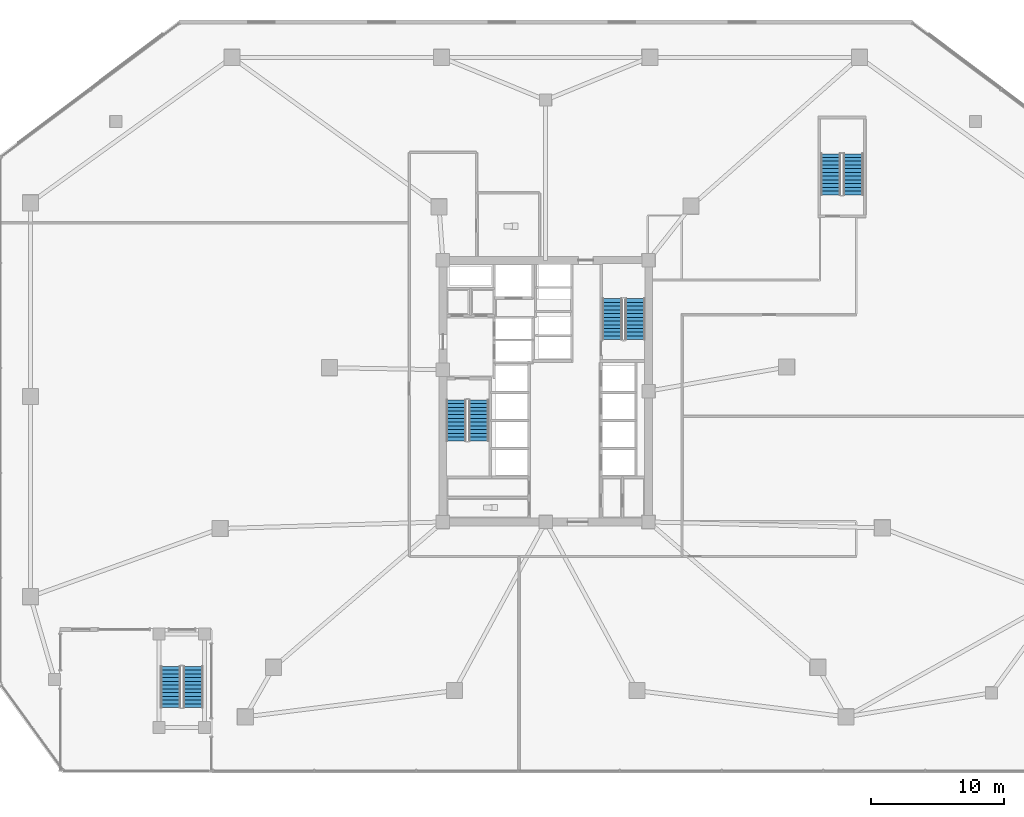
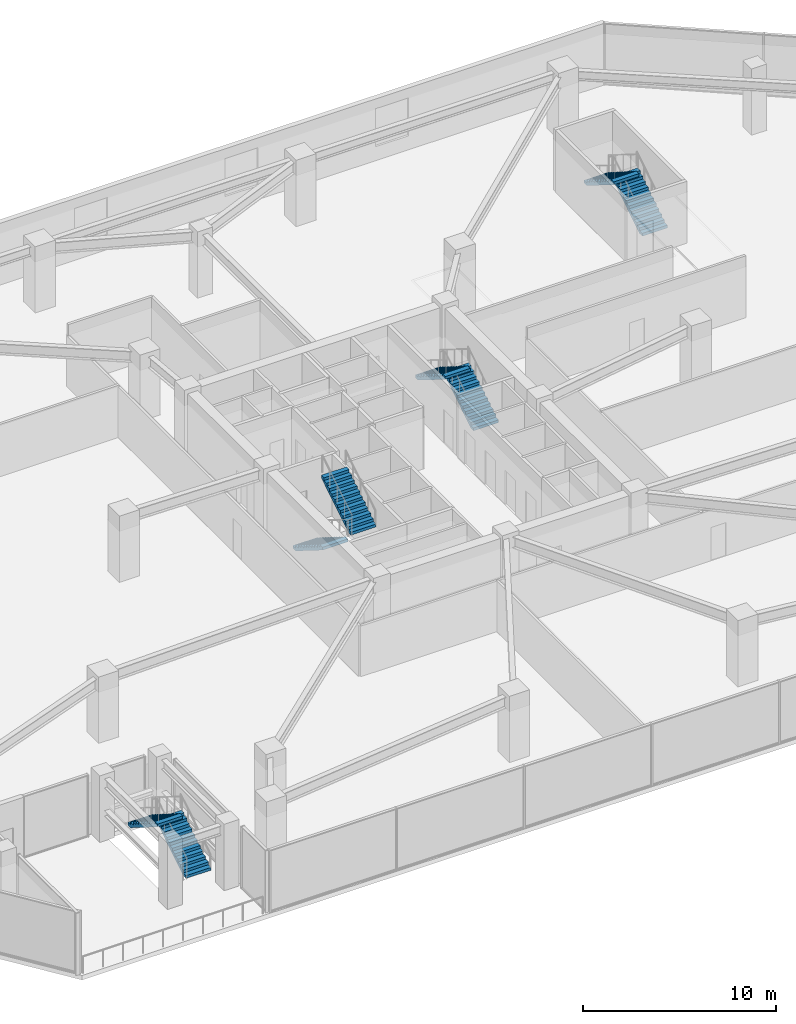
# One storey, part 13 of 21: 8 stair flights, 4 elements without a shape of their own.
"""IFC4 building model written with IfcOpenShell, lengths in metres."""

from ifc_helpers import new_model, si_unit, direction, frame, origin, place, context, subcontext, project, spatial, polyline, outline, extrude, material, type_object, element, aggregate, save


model = new_model("IFC4")

# Units and contexts
model_context = context("Model", 3, precision=1e-05, world=origin(), true_north=direction((0.0, 1.0)))
body_context = subcontext(model_context, "Body", "Model", "MODEL_VIEW")
ifc_project = project(units=[si_unit("LENGTHUNIT", "METRE"), si_unit("AREAUNIT", "SQUARE_METRE"), si_unit("VOLUMEUNIT", "CUBIC_METRE"), si_unit("PLANEANGLEUNIT", "RADIAN"), si_unit("MASSUNIT", "GRAM", prefix="KILO")], contexts=[model_context])

# Site, building, storey
site_placement = place(None, origin())
site = spatial("IfcSite", under=ifc_project, at=site_placement, CompositionType="ELEMENT")
building_placement = place(site_placement, origin())
building = spatial("IfcBuilding", under=site, at=building_placement, Name="Savorim Split Tower", CompositionType="ELEMENT")
storey_placement = place(building_placement, frame((0.0, 0.0, 9.199951171875)))
storey = spatial("IfcBuildingStorey", under=building, at=storey_placement, Name="L02", CompositionType="ELEMENT", Elevation=9.199951171875)

# Stair, stair flights
ifc_material = material(Name="Concrete C50/60", Category="concrete")
stair_type = type_object("IfcStairType", Name="STR-DOG-4200", PredefinedType="HALF_TURN_STAIR", material=ifc_material)
stair_1_placement = place(storey_placement, origin())
stair_1 = element("IfcStair", 1, at=stair_1_placement, inside=storey, type_object=stair_type, Name="L02 Core Protected Exit Stair ST-1", PredefinedType="HALF_TURN_STAIR")
stair_flight_type = type_object("IfcStairFlightType", Name="SFL-DOG-4200", PredefinedType="STRAIGHT", material=ifc_material)
stair_flight_1_placement = place(storey_placement, frame((-6.699951171875, -0.25, 0.0), z_axis=(0.0, 0.0, 1.0), x_axis=(0.0, -1.0, 0.0)))
stair_flight_1 = element("IfcStairFlight", 2, at=stair_flight_1_placement, type_object=stair_flight_type, Name="ST-1 flight 1", NumberOfRisers=12, NumberOfTreads=11, PredefinedType="STRAIGHT", RiserHeight=0.175, TreadLength=0.28, context=body_context, shape_type="SweptSolid", body=[
    extrude(outline(polyline([(0.0, 0.0), (0.0, 0.175048828125), (0.280029296875, 0.175048828125), (0.280029296875, 0.35009765625), (0.56005859375, 0.35009765625), (0.56005859375, 0.52490234375), (0.840087890625, 0.52490234375), (0.840087890625, 0.699951171875), (1.1201171875, 0.699951171875), (1.1201171875, 0.875), (1.39990234375, 0.875), (1.39990234375, 1.050048828125), (1.679931640625, 1.050048828125), (1.679931640625, 1.22509765625), (1.9599609375, 1.22509765625), (1.9599609375, 1.39990234375), (2.239990234375, 1.39990234375), (2.239990234375, 1.574951171875), (2.52001953125, 1.574951171875), (2.52001953125, 1.75), (2.800048828125, 1.75), (2.800048828125, 1.925048828125), (3.080078125, 1.925048828125), (3.080078125, 2.10009765625), (3.080078125, 1.748291015625), (0.28271484375, 0.0), (0.0, 0.0)])), frame((0.0, 0.75, 0.0), z_axis=(0.0, -1.0, 0.0), x_axis=(1.0, 0.0, 0.0)), (0.0, 0.0, 1.0), 1.5),
])
stair_flight_2_placement = place(storey_placement, frame((-5.0, -3.330078125, 2.10009765625), z_axis=(0.0, 0.0, 1.0), x_axis=(0.0, 1.0, 0.0)))
stair_flight_2 = element("IfcStairFlight", 3, at=stair_flight_2_placement, type_object=stair_flight_type, Name="ST-1 flight 2", NumberOfRisers=12, NumberOfTreads=11, PredefinedType="STRAIGHT", RiserHeight=0.175, TreadLength=0.28, context=body_context, shape_type="SweptSolid", body=[
    extrude(outline(polyline([(0.0, 0.0), (0.0, 0.175048828125), (0.280029296875, 0.175048828125), (0.280029296875, 0.35009765625), (0.56005859375, 0.35009765625), (0.56005859375, 0.52490234375), (0.840087890625, 0.52490234375), (0.840087890625, 0.699951171875), (1.1201171875, 0.699951171875), (1.1201171875, 0.875), (1.39990234375, 0.875), (1.39990234375, 1.050048828125), (1.679931640625, 1.050048828125), (1.679931640625, 1.22509765625), (1.9599609375, 1.22509765625), (1.9599609375, 1.39990234375), (2.239990234375, 1.39990234375), (2.239990234375, 1.574951171875), (2.52001953125, 1.574951171875), (2.52001953125, 1.75), (2.800048828125, 1.75), (2.800048828125, 1.925048828125), (3.080078125, 1.925048828125), (3.080078125, 2.10009765625), (3.080078125, 1.748291015625), (0.28271484375, 0.0), (0.0, 0.0)])), frame((0.0, 0.75, 0.0), z_axis=(0.0, -1.0, 0.0), x_axis=(1.0, 0.0, 0.0)), (0.0, 0.0, 1.0), 1.5),
])
aggregate(stair_1, [stair_flight_1, stair_flight_2])

stair_2_placement = place(storey_placement, origin())
stair_2 = element("IfcStair", 4, at=stair_2_placement, inside=storey, type_object=stair_type, Name="L02 Core Protected Exit Stair ST-2", PredefinedType="HALF_TURN_STAIR")
stair_flight_3_placement = place(storey_placement, frame((6.699951171875, 4.25, 0.0), z_axis=(0.0, 0.0, 1.0), x_axis=(0.0, 1.0, 0.0)))
stair_flight_3 = element("IfcStairFlight", 5, at=stair_flight_3_placement, type_object=stair_flight_type, Name="ST-2 flight 1", NumberOfRisers=12, NumberOfTreads=11, PredefinedType="STRAIGHT", RiserHeight=0.175, TreadLength=0.28, context=body_context, shape_type="SweptSolid", body=[
    extrude(outline(polyline([(0.0, 0.0), (0.0, 0.175048828125), (0.280029296875, 0.175048828125), (0.280029296875, 0.35009765625), (0.56005859375, 0.35009765625), (0.56005859375, 0.52490234375), (0.840087890625, 0.52490234375), (0.840087890625, 0.699951171875), (1.1201171875, 0.699951171875), (1.1201171875, 0.875), (1.39990234375, 0.875), (1.39990234375, 1.050048828125), (1.679931640625, 1.050048828125), (1.679931640625, 1.22509765625), (1.9599609375, 1.22509765625), (1.9599609375, 1.39990234375), (2.239990234375, 1.39990234375), (2.239990234375, 1.574951171875), (2.52001953125, 1.574951171875), (2.52001953125, 1.75), (2.800048828125, 1.75), (2.800048828125, 1.925048828125), (3.080078125, 1.925048828125), (3.080078125, 2.10009765625), (3.080078125, 1.748291015625), (0.28271484375, 0.0), (0.0, 0.0)])), frame((0.0, 0.75, 0.0), z_axis=(0.0, -1.0, 0.0), x_axis=(1.0, 0.0, 0.0)), (0.0, 0.0, 1.0), 1.5),
])
stair_flight_4_placement = place(storey_placement, frame((5.0, 7.330078125, 2.10009765625), z_axis=(0.0, 0.0, 1.0), x_axis=(0.0, -1.0, 0.0)))
stair_flight_4 = element("IfcStairFlight", 6, at=stair_flight_4_placement, type_object=stair_flight_type, Name="ST-2 flight 2", NumberOfRisers=12, NumberOfTreads=11, PredefinedType="STRAIGHT", RiserHeight=0.175, TreadLength=0.28, context=body_context, shape_type="SweptSolid", body=[
    extrude(outline(polyline([(0.0, 0.0), (0.0, 0.175048828125), (0.280029296875, 0.175048828125), (0.280029296875, 0.35009765625), (0.56005859375, 0.35009765625), (0.56005859375, 0.52490234375), (0.840087890625, 0.52490234375), (0.840087890625, 0.699951171875), (1.1201171875, 0.699951171875), (1.1201171875, 0.875), (1.39990234375, 0.875), (1.39990234375, 1.050048828125), (1.679931640625, 1.050048828125), (1.679931640625, 1.22509765625), (1.9599609375, 1.22509765625), (1.9599609375, 1.39990234375), (2.239990234375, 1.39990234375), (2.239990234375, 1.574951171875), (2.52001953125, 1.574951171875), (2.52001953125, 1.75), (2.800048828125, 1.75), (2.800048828125, 1.925048828125), (3.080078125, 1.925048828125), (3.080078125, 2.10009765625), (3.080078125, 1.748291015625), (0.28271484375, 0.0), (0.0, 0.0)])), frame((0.0, 0.75, 0.0), z_axis=(0.0, -1.0, 0.0), x_axis=(1.0, 0.0, 0.0)), (0.0, 0.0, 1.0), 1.5),
])
aggregate(stair_2, [stair_flight_3, stair_flight_4])

stair_3_placement = place(storey_placement, origin())
stair_3 = element("IfcStair", 7, at=stair_3_placement, inside=storey, type_object=stair_type, Name="L02 Podium Protected Garden Exit Stair ST-3", PredefinedType="HALF_TURN_STAIR")
stair_flight_5_placement = place(storey_placement, frame((23.050048828125, 15.10009765625, 0.0), z_axis=(0.0, 0.0, 1.0), x_axis=(0.0, 1.0, 0.0)))
stair_flight_5 = element("IfcStairFlight", 8, at=stair_flight_5_placement, type_object=stair_flight_type, Name="ST-3 flight 1", NumberOfRisers=12, NumberOfTreads=11, PredefinedType="STRAIGHT", RiserHeight=0.175, TreadLength=0.28, context=body_context, shape_type="SweptSolid", body=[
    extrude(outline(polyline([(0.0, 0.0), (0.0, 0.175048828125), (0.280029296875, 0.175048828125), (0.280029296875, 0.35009765625), (0.56005859375, 0.35009765625), (0.56005859375, 0.52490234375), (0.840087890625, 0.52490234375), (0.840087890625, 0.699951171875), (1.1201171875, 0.699951171875), (1.1201171875, 0.875), (1.39990234375, 0.875), (1.39990234375, 1.050048828125), (1.679931640625, 1.050048828125), (1.679931640625, 1.22509765625), (1.9599609375, 1.22509765625), (1.9599609375, 1.39990234375), (2.239990234375, 1.39990234375), (2.239990234375, 1.574951171875), (2.52001953125, 1.574951171875), (2.52001953125, 1.75), (2.800048828125, 1.75), (2.800048828125, 1.925048828125), (3.080078125, 1.925048828125), (3.080078125, 2.10009765625), (3.080078125, 1.748291015625), (0.28271484375, 0.0), (0.0, 0.0)])), frame((0.0, 0.75, 0.0), z_axis=(0.0, -1.0, 0.0), x_axis=(1.0, 0.0, 0.0)), (0.0, 0.0, 1.0), 1.5),
])
stair_flight_6_placement = place(storey_placement, frame((21.35009765625, 18.179931640625, 2.10009765625), z_axis=(0.0, 0.0, 1.0), x_axis=(0.0, -1.0, 0.0)))
stair_flight_6 = element("IfcStairFlight", 9, at=stair_flight_6_placement, type_object=stair_flight_type, Name="ST-3 flight 2", NumberOfRisers=12, NumberOfTreads=11, PredefinedType="STRAIGHT", RiserHeight=0.175, TreadLength=0.28, context=body_context, shape_type="SweptSolid", body=[
    extrude(outline(polyline([(0.0, 0.0), (0.0, 0.175048828125), (0.280029296875, 0.175048828125), (0.280029296875, 0.35009765625), (0.56005859375, 0.35009765625), (0.56005859375, 0.52490234375), (0.840087890625, 0.52490234375), (0.840087890625, 0.699951171875), (1.1201171875, 0.699951171875), (1.1201171875, 0.875), (1.39990234375, 0.875), (1.39990234375, 1.050048828125), (1.679931640625, 1.050048828125), (1.679931640625, 1.22509765625), (1.9599609375, 1.22509765625), (1.9599609375, 1.39990234375), (2.239990234375, 1.39990234375), (2.239990234375, 1.574951171875), (2.52001953125, 1.574951171875), (2.52001953125, 1.75), (2.800048828125, 1.75), (2.800048828125, 1.925048828125), (3.080078125, 1.925048828125), (3.080078125, 2.10009765625), (3.080078125, 1.748291015625), (0.28271484375, 0.0), (0.0, 0.0)])), frame((0.0, 0.75, 0.0), z_axis=(0.0, -1.0, 0.0), x_axis=(1.0, 0.0, 0.0)), (0.0, 0.0, 1.0), 1.5),
])
aggregate(stair_3, [stair_flight_5, stair_flight_6])

stair_4_placement = place(storey_placement, origin())
stair_4 = element("IfcStair", 10, at=stair_4_placement, inside=storey, type_object=stair_type, Name="L02 Exterior Stepped Public Garden Stair ST-GDN", PredefinedType="HALF_TURN_STAIR")
stair_flight_7_placement = place(storey_placement, frame((-26.39990234375, -23.300048828125, 0.0), z_axis=(0.0, 0.0, 1.0), x_axis=(0.0, 1.0, 0.0)))
stair_flight_7 = element("IfcStairFlight", 11, at=stair_flight_7_placement, type_object=stair_flight_type, Name="ST-GDN flight 1", NumberOfRisers=12, NumberOfTreads=11, PredefinedType="STRAIGHT", RiserHeight=0.175, TreadLength=0.28, context=body_context, shape_type="SweptSolid", body=[
    extrude(outline(polyline([(0.0, 0.0), (0.0, 0.175048828125), (0.280029296875, 0.175048828125), (0.280029296875, 0.35009765625), (0.56005859375, 0.35009765625), (0.56005859375, 0.52490234375), (0.840087890625, 0.52490234375), (0.840087890625, 0.699951171875), (1.1201171875, 0.699951171875), (1.1201171875, 0.875), (1.39990234375, 0.875), (1.39990234375, 1.050048828125), (1.679931640625, 1.050048828125), (1.679931640625, 1.22509765625), (1.9599609375, 1.22509765625), (1.9599609375, 1.39990234375), (2.239990234375, 1.39990234375), (2.239990234375, 1.574951171875), (2.52001953125, 1.574951171875), (2.52001953125, 1.75), (2.800048828125, 1.75), (2.800048828125, 1.925048828125), (3.080078125, 1.925048828125), (3.080078125, 2.10009765625), (3.080078125, 1.748291015625), (0.28271484375, 0.0), (0.0, 0.0)])), frame((0.0, 0.75, 0.0), z_axis=(0.0, -1.0, 0.0), x_axis=(1.0, 0.0, 0.0)), (0.0, 0.0, 1.0), 1.5),
])
stair_flight_8_placement = place(storey_placement, frame((-28.10009765625, -20.219970703125, 2.10009765625), z_axis=(0.0, 0.0, 1.0), x_axis=(0.0, -1.0, 0.0)))
stair_flight_8 = element("IfcStairFlight", 12, at=stair_flight_8_placement, type_object=stair_flight_type, Name="ST-GDN flight 2", NumberOfRisers=12, NumberOfTreads=11, PredefinedType="STRAIGHT", RiserHeight=0.175, TreadLength=0.28, context=body_context, shape_type="SweptSolid", body=[
    extrude(outline(polyline([(0.0, 0.0), (0.0, 0.175048828125), (0.280029296875, 0.175048828125), (0.280029296875, 0.35009765625), (0.56005859375, 0.35009765625), (0.56005859375, 0.52490234375), (0.840087890625, 0.52490234375), (0.840087890625, 0.699951171875), (1.1201171875, 0.699951171875), (1.1201171875, 0.875), (1.39990234375, 0.875), (1.39990234375, 1.050048828125), (1.679931640625, 1.050048828125), (1.679931640625, 1.22509765625), (1.9599609375, 1.22509765625), (1.9599609375, 1.39990234375), (2.239990234375, 1.39990234375), (2.239990234375, 1.574951171875), (2.52001953125, 1.574951171875), (2.52001953125, 1.75), (2.800048828125, 1.75), (2.800048828125, 1.925048828125), (3.080078125, 1.925048828125), (3.080078125, 2.10009765625), (3.080078125, 1.748291015625), (0.28271484375, 0.0), (0.0, 0.0)])), frame((0.0, 0.75, 0.0), z_axis=(0.0, -1.0, 0.0), x_axis=(1.0, 0.0, 0.0)), (0.0, 0.0, 1.0), 1.5),
])
aggregate(stair_4, [stair_flight_7, stair_flight_8])

save(model, "model.ifc")
